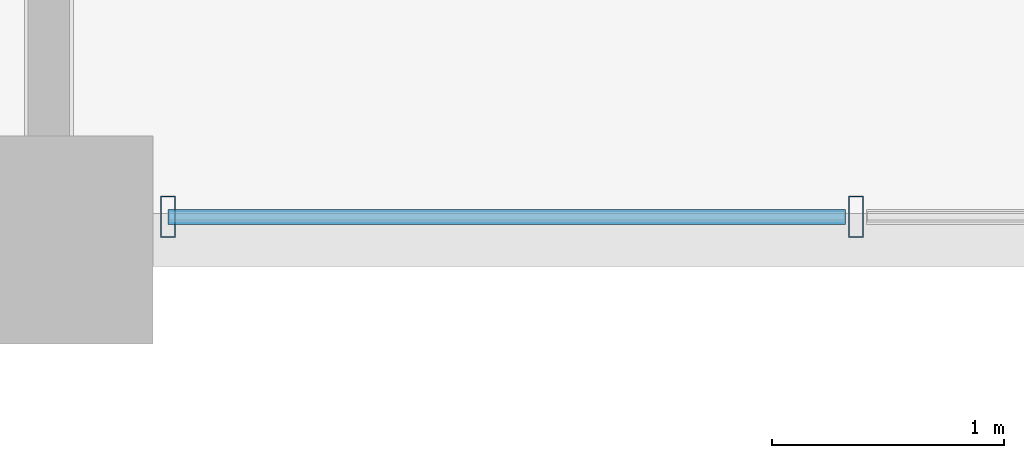
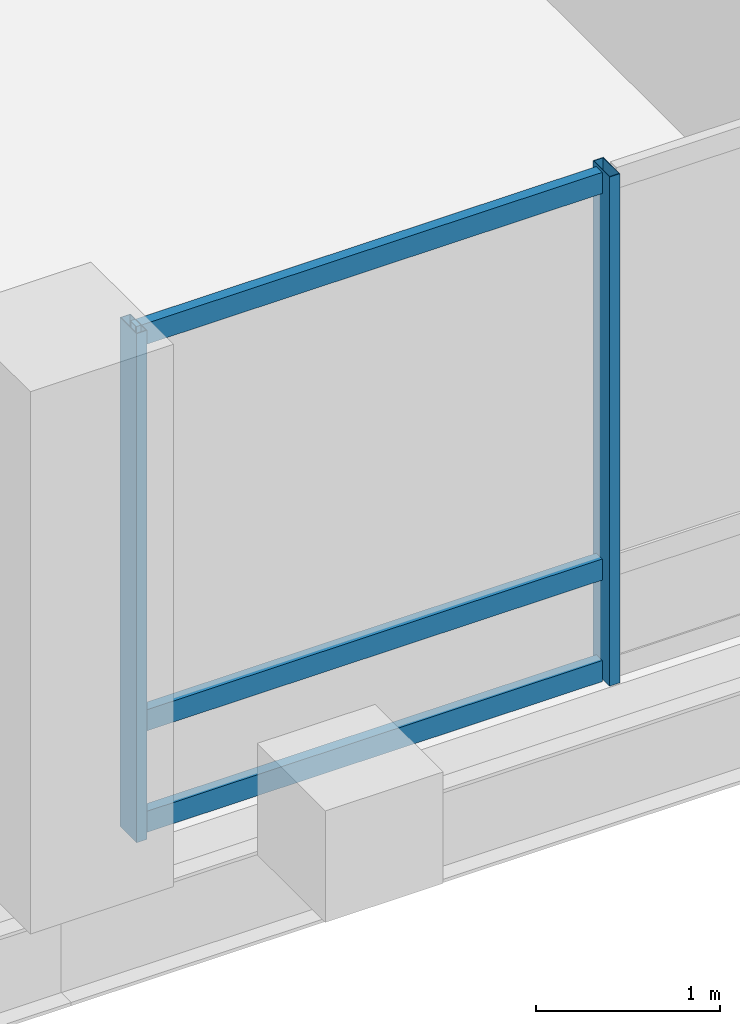
# One storey, part 2 of 21: 5 members, 1 element without a shape of its own.
"""IFC4 building model written with IfcOpenShell, lengths in metres."""

import ifcopenshell
import ifcopenshell.guid

model = None  # the IFC model being written
_history = None  # IfcOwnerHistory: only IFC2X3 demands one
_inside = {}  # id of a spatial element -> (the spatial element, [elements in it])
_under = {}  # id of a project, library or spatial element -> (it, [spatial elements below it])
_declared = {}  # id of a project -> (the project, [libraries it declares])
_typed = {}  # id of a type object -> (the type object, [elements of that type])
_made_of = {}  # id of a material, layer set ... -> (it, [elements and type objects made of it])


def new_model(schema):
    """Start an empty IFC model of exactly this schema.

    Asked for "IFC4X3", IfcOpenShell would pick the latest addendum, in which some entities
    have other attributes; the version numbers below select the first issue.
    IFC2X3 requires an IfcOwnerHistory on every rooted entity: one is made here for all.
    """
    global model, _history
    if schema == "IFC4X3":
        model = ifcopenshell.file(schema_version=(4, 3, 0, 0))
    else:
        model = ifcopenshell.file(schema=schema)
    _inside.clear()
    _under.clear()
    _declared.clear()
    _typed.clear()
    _made_of.clear()
    _history = None
    if model.schema == "IFC2X3":
        org = make("IfcOrganization", Name="unknown")
        user = make(
            "IfcPersonAndOrganization",
            ThePerson=make("IfcPerson", FamilyName="unknown"),
            TheOrganization=org,
        )
        app = make(
            "IfcApplication",
            ApplicationDeveloper=org,
            Version="unknown",
            ApplicationFullName="unknown",
            ApplicationIdentifier="unknown",
        )
        _history = make(
            "IfcOwnerHistory",
            OwningUser=user,
            OwningApplication=app,
            ChangeAction="ADDED",
            CreationDate=0,
        )
    return model


def make(cls, **values):
    """One entity of the class cls with the attributes given. An attribute that is None is left unset."""
    return model.create_entity(
        cls, **{name: value for name, value in values.items() if value is not None}
    )


def rooted(cls, **values):
    """An entity with a GlobalId (a new one), such as an element, a storey or a relation."""
    return make(cls, GlobalId=ifcopenshell.guid.new(), OwnerHistory=_history, **values)


def si_unit(unit_type, name, prefix=None):
    """IfcSIUnit, for example si_unit("LENGTHUNIT", "METRE", prefix="MILLI")."""
    return make("IfcSIUnit", UnitType=unit_type, Prefix=prefix, Name=name)


def assignment(units):
    """IfcUnitAssignment: the units of a project."""
    return None if units is None else make("IfcUnitAssignment", Units=units)


def point(xyz):
    """IfcCartesianPoint."""
    return None if xyz is None else make("IfcCartesianPoint", Coordinates=xyz)


def direction(xyz):
    """IfcDirection."""
    return None if xyz is None else make("IfcDirection", DirectionRatios=xyz)


def frame(location, z_axis=None, x_axis=None):
    """IfcAxis2Placement3D, a coordinate frame: its origin and axes. An axis left out is left unset."""
    return make(
        "IfcAxis2Placement3D",
        Location=point(location),
        Axis=direction(z_axis),
        RefDirection=direction(x_axis),
    )


def frame_2d(location, x_axis=None):
    """IfcAxis2Placement2D, a coordinate frame in the plane: its origin and x axis."""
    return make(
        "IfcAxis2Placement2D", Location=point(location), RefDirection=direction(x_axis)
    )


def origin():
    """The frame at (0, 0, 0) with its axes left unset."""
    return frame((0.0, 0.0, 0.0))


def origin_2d():
    """The frame at (0, 0) in the plane with its x axis left unset."""
    return frame_2d((0.0, 0.0))


def place(relative_to, where):
    """IfcLocalPlacement: puts the frame where relative to a parent placement (None: the world)."""
    return make(
        "IfcLocalPlacement", PlacementRelTo=relative_to, RelativePlacement=where
    )


def context(
    kind, dimensions, precision=None, world=None, true_north=None, identifier=None
):
    """IfcGeometricRepresentationContext, for example the 3D "Model" context."""
    return make(
        "IfcGeometricRepresentationContext",
        ContextIdentifier=identifier,
        ContextType=kind,
        CoordinateSpaceDimension=dimensions,
        Precision=precision,
        WorldCoordinateSystem=world,
        TrueNorth=true_north,
    )


def subcontext(parent, identifier, kind, view, scale=None):
    """IfcGeometricRepresentationSubContext, for example "Body" below "Model"."""
    return make(
        "IfcGeometricRepresentationSubContext",
        ContextIdentifier=identifier,
        ContextType=kind,
        ParentContext=parent,
        TargetScale=scale,
        TargetView=view,
    )


def project(units=None, contexts=None):
    """IfcProject with its units and contexts."""
    return rooted(
        "IfcProject",
        Name="project",
        RepresentationContexts=contexts,
        UnitsInContext=assignment(units),
    )


def spatial(cls, under=None, at=None, **own):
    """A site, building, storey or space (cls), placed at a placement, below another one or the project."""
    s = rooted(cls, ObjectPlacement=at, **own)
    if under is not None:
        _under.setdefault(under.id(), (under, []))[1].append(s)
    return s


def profile(cls, at=None, kind="AREA", **sizes):
    """A parametric profile (cls). Its sizes go by their IFC names, for example OverallWidth=200.0."""
    return make(cls, ProfileType=kind, Position=at, **sizes)


def hollow_rectangle(**sizes):
    """IfcRectangleHollowProfileDef."""
    return profile("IfcRectangleHollowProfileDef", **sizes)


def extrude(swept, where, along, depth):
    """IfcExtrudedAreaSolid: the profile swept, set in the frame where, extruded along a direction by depth."""
    return make(
        "IfcExtrudedAreaSolid",
        SweptArea=swept,
        Position=where,
        ExtrudedDirection=direction(along),
        Depth=depth,
    )


def shape(context_of_items, identifier, shape_type, items):
    """IfcShapeRepresentation: the items that make up one representation, for example the "Body"."""
    return make(
        "IfcShapeRepresentation",
        ContextOfItems=context_of_items,
        RepresentationIdentifier=identifier,
        RepresentationType=shape_type,
        Items=items,
    )


def material(Name=None, Category=None):
    """IfcMaterial."""
    return make("IfcMaterial", Name=Name, Category=Category)


def layer(
    of_material, thickness, ventilated=None, Name=None, Category=None, Priority=None
):
    """IfcMaterialLayer: one layer of a wall or slab, of a material (None: an air gap)."""
    return make(
        "IfcMaterialLayer",
        Material=of_material,
        LayerThickness=thickness,
        IsVentilated=ventilated,
        Name=Name,
        Category=Category,
        Priority=Priority,
    )


def layer_set(layers, Name=None):
    """IfcMaterialLayerSet."""
    return make("IfcMaterialLayerSet", MaterialLayers=layers, LayerSetName=Name)


def material_profile(
    of_material, cross_section, Name=None, Category=None, Priority=None
):
    """IfcMaterialProfile: a cross section and its material."""
    return make(
        "IfcMaterialProfile",
        Name=Name,
        Material=of_material,
        Profile=cross_section,
        Priority=Priority,
        Category=Category,
    )


def profile_set(profiles, Name=None, composite=None):
    """IfcMaterialProfileSet."""
    return make(
        "IfcMaterialProfileSet",
        Name=Name,
        MaterialProfiles=profiles,
        CompositeProfile=composite,
    )


def made_of(thing, what):
    """Note that an element or type object is made of a material, layer set ...; save() writes the relation."""
    if what is not None:
        _made_of.setdefault(what.id(), (what, []))[1].append(thing)
    return thing


def type_object(cls, material=None, **own):
    """A type object (cls), such as IfcWallType, which elements share."""
    return made_of(rooted(cls, **own), material)


def element(
    cls,
    number,
    at=None,
    inside=None,
    cuts=None,
    type_object=None,
    material=None,
    context=None,
    identifier="Body",
    shape_type=None,
    held_by="IfcProductDefinitionShape",
    body=None,
    shapes=None,
    **own,
):
    """One element of the class cls, such as IfcWall. Its Tag is "e" and its number.

    at: its placement. inside: the storey or other place that contains it. cuts: it is an
    opening in that element (IfcRelVoidsElement). A single representation is given by context,
    identifier, shape_type and body (its items); several are given by shapes. held_by: the class
    of the entity that holds the representations. save() writes the other relations.
    """
    e = rooted(cls, Tag="e%d" % number, ObjectPlacement=at, **own)
    if body is not None:
        shapes = [shape(context, identifier, shape_type, body)]
    if shapes is not None:
        e.Representation = make(held_by, Representations=shapes)
    if inside is not None:
        _inside.setdefault(inside.id(), (inside, []))[1].append(e)
    if cuts is not None:
        rooted(
            "IfcRelVoidsElement", RelatingBuildingElement=cuts, RelatedOpeningElement=e
        )
    if type_object is not None:
        _typed.setdefault(type_object.id(), (type_object, []))[1].append(e)
    return made_of(e, material)


def aggregate(whole, parts):
    """IfcRelAggregates: a whole, such as a stair, and the parts it consists of."""
    return rooted("IfcRelAggregates", RelatingObject=whole, RelatedObjects=parts)


def save(model, path):
    """Write the relations noted so far, then the file.

    IfcRelAggregates (storeys below a building ...), IfcRelContainedInSpatialStructure (elements
    in a storey), IfcRelDefinesByType, IfcRelAssociatesMaterial and IfcRelDeclares: one each for
    every whole, place, type object, material and project.
    """
    for whole, parts in _under.values():
        aggregate(whole, parts)
    for where, things in _inside.values():
        rooted(
            "IfcRelContainedInSpatialStructure",
            RelatedElements=things,
            RelatingStructure=where,
        )
    for kind, things in _typed.values():
        rooted("IfcRelDefinesByType", RelatedObjects=things, RelatingType=kind)
    for what, things in _made_of.values():
        rooted("IfcRelAssociatesMaterial", RelatedObjects=things, RelatingMaterial=what)
    for by, libraries in _declared.values():
        rooted("IfcRelDeclares", RelatingContext=by, RelatedDefinitions=libraries)
    model.write(path)


model = new_model("IFC4")

# Units and contexts
model_context = context("Model", 3, precision=1e-05, world=origin(), true_north=direction((0.0, 1.0)))
body_context = subcontext(model_context, "Body", "Model", "MODEL_VIEW")
ifc_project = project(units=[si_unit("LENGTHUNIT", "METRE"), si_unit("AREAUNIT", "SQUARE_METRE"), si_unit("VOLUMEUNIT", "CUBIC_METRE"), si_unit("PLANEANGLEUNIT", "RADIAN"), si_unit("MASSUNIT", "GRAM", prefix="KILO")], contexts=[model_context])

# Site, building, storey
site_placement = place(None, origin())
site = spatial("IfcSite", under=ifc_project, at=site_placement, CompositionType="ELEMENT")
building_placement = place(site_placement, origin())
building = spatial("IfcBuilding", under=site, at=building_placement, Name="Barlavira Tower and Art Museum", CompositionType="ELEMENT")
storey_placement = place(building_placement, frame((0.0, 0.0, 222.300048828125)))
storey = spatial("IfcBuildingStorey", under=building, at=storey_placement, Name="L57", CompositionType="ELEMENT", Elevation=222.300048828125)

# Curtain wall, members
ifc_material_1 = material(Name="Low-iron coastal laminated glass", Category="glass")
ifc_layer = layer(ifc_material_1, 0.2099609375, Name="Low-iron coastal laminated glass")
ifc_layer_set = layer_set([ifc_layer], Name="Low-iron coastal laminated glass")
curtain_wall_type = type_object("IfcCurtainWallType", Name="Pale-Metal Unitised Curtain Wall Zone 4", PredefinedType="NOTDEFINED", material=ifc_layer_set)
curtain_wall_placement = place(storey_placement, origin())
curtain_wall = element("IfcCurtainWall", 1, at=curtain_wall_placement, inside=storey, type_object=curtain_wall_type, Name="L57 Curtain Wall CW4-L57-S-B2", PredefinedType="NOTDEFINED")
ifc_material_2 = material(Name="Pale anodised aluminium", Category="aluminium")
ifc_material_profile_1 = material_profile(ifc_material_2, hollow_rectangle(XDim=0.06494140625, YDim=0.179931640625, WallThickness=0.00390625, at=origin_2d()), Name="ALU-MULL 65x180x4")
ifc_profile_set_1 = profile_set([ifc_material_profile_1], Name="Pale anodised aluminium")
member_type_1 = type_object("IfcMemberType", Name="Curtain Wall Pale-Metal Mullion 65x180", PredefinedType="MULLION", material=ifc_profile_set_1)
member_1_placement = place(storey_placement, frame((-5.985107421875, -19.89990234375, 0.0), z_axis=(0.0, 0.0, 1.0), x_axis=(1.0, 0.0, 0.0)))
member_1 = element("IfcMember", 2, at=member_1_placement, type_object=member_type_1, Name="CW4-L57-S-B2 Mullion 0", PredefinedType="MULLION", context=body_context, shape_type="SweptSolid", body=[
    extrude(hollow_rectangle(XDim=0.06494140625, YDim=0.179931640625, WallThickness=0.00390625, at=origin_2d()), origin(), (0.0, 0.0, 1.0), 3.3798828125),
])
member_2_placement = place(storey_placement, frame((-3.014892578125, -19.89990234375, 0.0), z_axis=(0.0, 0.0, 1.0), x_axis=(1.0, 0.0, 0.0)))
member_2 = element("IfcMember", 3, at=member_2_placement, type_object=member_type_1, Name="CW4-L57-S-B2 Mullion 1", PredefinedType="MULLION", context=body_context, shape_type="SweptSolid", body=[
    extrude(hollow_rectangle(XDim=0.06494140625, YDim=0.179931640625, WallThickness=0.00390625, at=origin_2d()), origin(), (0.0, 0.0, 1.0), 3.3798828125),
])
ifc_material_profile_2 = material_profile(ifc_material_2, hollow_rectangle(XDim=0.06494140625, YDim=0.139892578125, WallThickness=0.00390625, at=origin_2d()), Name="ALU-TRAN 65x140x4")
ifc_profile_set_2 = profile_set([ifc_material_profile_2], Name="Pale anodised aluminium")
member_type_2 = type_object("IfcMemberType", Name="Curtain Wall Pale-Metal Transom 65x140", PredefinedType="USERDEFINED", material=ifc_profile_set_2)
member_3_placement = place(storey_placement, frame((-5.985107421875, -19.89990234375, 0.070068359375), z_axis=(1.0, 0.0, 0.0), x_axis=(0.0, 1.0, 0.0)))
member_3 = element("IfcMember", 4, at=member_3_placement, type_object=member_type_2, Name="CW4-L57-S-B2 Transom 0.1", ObjectType="TRANSOM", PredefinedType="USERDEFINED", context=body_context, shape_type="SweptSolid", body=[
    extrude(hollow_rectangle(XDim=0.06494140625, YDim=0.139892578125, WallThickness=0.00390625, at=origin_2d()), origin(), (0.0, 0.0, 1.0), 2.925048828125),
])
member_4_placement = place(storey_placement, frame((-5.985107421875, -19.89990234375, 0.743896484375), z_axis=(1.0, 0.0, 0.0), x_axis=(0.0, 1.0, 0.0)))
member_4 = element("IfcMember", 5, at=member_4_placement, type_object=member_type_2, Name="CW4-L57-S-B2 Transom 0.2", ObjectType="TRANSOM", PredefinedType="USERDEFINED", context=body_context, shape_type="SweptSolid", body=[
    extrude(hollow_rectangle(XDim=0.06494140625, YDim=0.139892578125, WallThickness=0.00390625, at=origin_2d()), origin(), (0.0, 0.0, 1.0), 2.925048828125),
])
member_5_placement = place(storey_placement, frame((-5.985107421875, -19.89990234375, 3.31005859375), z_axis=(1.0, 0.0, 0.0), x_axis=(0.0, 1.0, 0.0)))
member_5 = element("IfcMember", 6, at=member_5_placement, type_object=member_type_2, Name="CW4-L57-S-B2 Transom 0.3", ObjectType="TRANSOM", PredefinedType="USERDEFINED", context=body_context, shape_type="SweptSolid", body=[
    extrude(hollow_rectangle(XDim=0.06494140625, YDim=0.139892578125, WallThickness=0.00390625, at=origin_2d()), origin(), (0.0, 0.0, 1.0), 2.925048828125),
])
aggregate(curtain_wall, [member_1, member_2, member_3, member_4, member_5])

save(model, "model.ifc")
